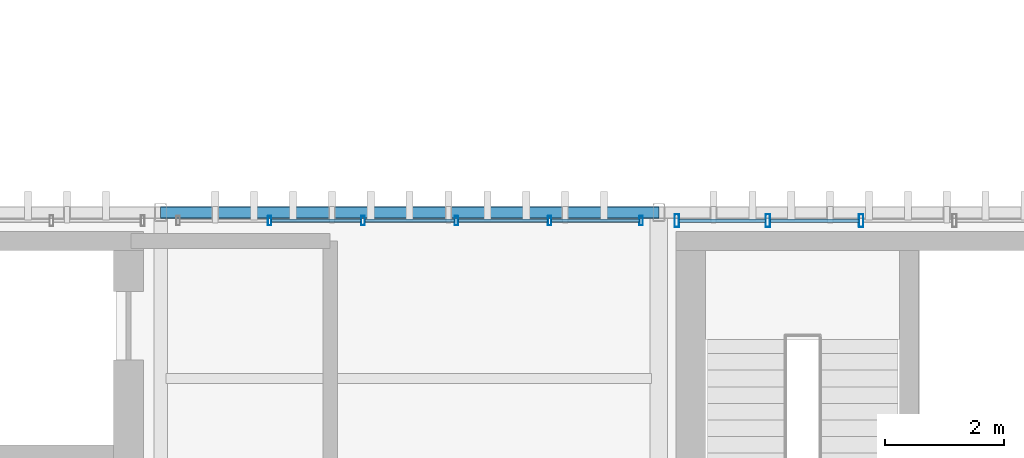
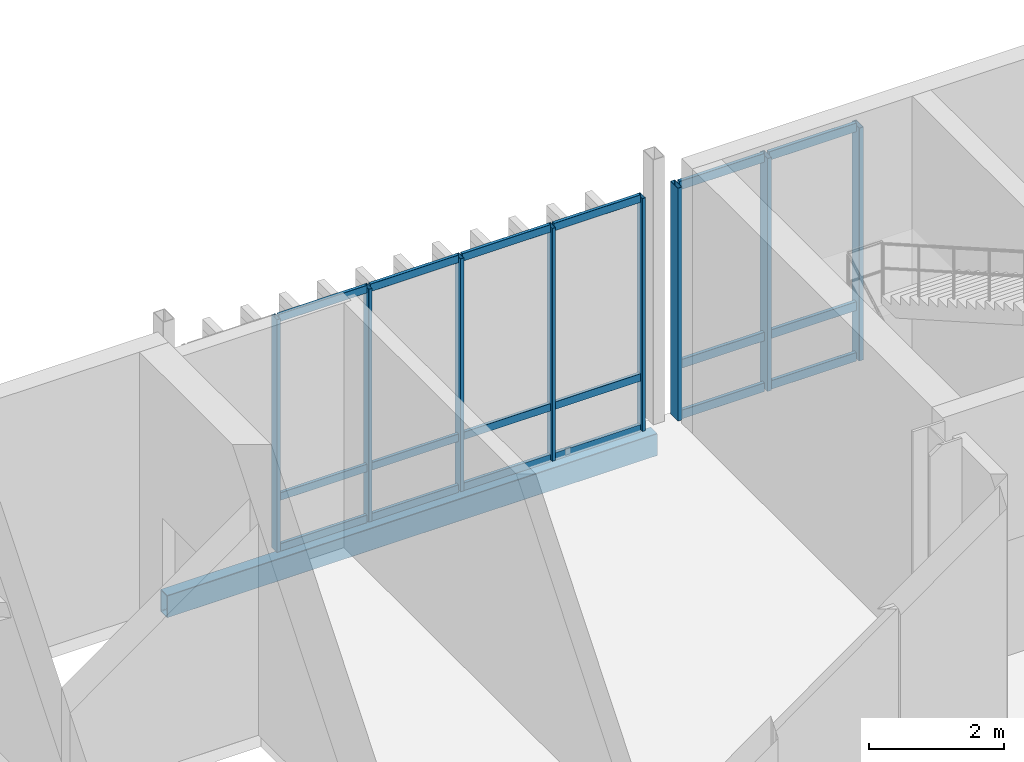
# One storey, part 32 of 109: 26 members, 1 beam, 2 elements without a shape of their own.
"""IFC4 building model written with IfcOpenShell, lengths in metres."""

from ifc_helpers import new_model, si_unit, direction, frame, origin_with_axes, origin_2d_with_axis, place, context, subcontext, project, spatial, hollow_rectangle, extrude, material, material_profile, profile_set, type_object, element, aggregate, save


model = new_model("IFC4")

# Units and contexts
model_context = context("Model", 3, precision=1e-05, world=origin_with_axes(), true_north=direction((0.0, 1.0)))
body_context = subcontext(model_context, "Body", "Model", "MODEL_VIEW")
ifc_project = project(units=[si_unit("LENGTHUNIT", "METRE"), si_unit("AREAUNIT", "SQUARE_METRE"), si_unit("VOLUMEUNIT", "CUBIC_METRE"), si_unit("PLANEANGLEUNIT", "RADIAN"), si_unit("MASSUNIT", "GRAM", prefix="KILO"), si_unit("THERMODYNAMICTEMPERATUREUNIT", "KELVIN")], contexts=[model_context])

# Site, building, storey
site_placement = place(None, origin_with_axes())
site = spatial("IfcSite", under=ifc_project, at=site_placement, CompositionType="ELEMENT")
building_placement = place(site_placement, origin_with_axes())
building = spatial("IfcBuilding", under=site, at=building_placement, Name="Montbau Bow Law Courts", CompositionType="ELEMENT")
storey_placement = place(building_placement, frame((0.0, 0.0, 10.8), z_axis=(0.0, 0.0, 1.0), x_axis=(1.0, 0.0, 0.0)))
storey = spatial("IfcBuildingStorey", under=building, at=storey_placement, Name="L02", CompositionType="ELEMENT", Elevation=10.8)

# Beam
ifc_material_1 = material(Name="Steel CSA G40.21 Grade 350WT (350 MPa)", Category="steel")
ifc_material_profile_1 = material_profile(ifc_material_1, hollow_rectangle(XDim=0.203, YDim=0.406, WallThickness=0.0127, InnerFilletRadius=0.0254, OuterFilletRadius=0.0127, at=origin_2d_with_axis()), Name="HSS406X203X13", Category="Main", Priority=0)
ifc_profile_set_1 = profile_set([ifc_material_profile_1], Name="Steel CSA G40.21 Grade 350WT (350 MPa)")
beam_type = type_object("IfcBeamType", Name="B-SPN-01", PredefinedType="SPANDREL", material=ifc_profile_set_1)
beam_placement = place(None, frame((22.2, 54.6, 10.377), z_axis=(1.0, 0.0, 0.0), x_axis=(0.0, 1.0, 0.0)))
element("IfcBeam", 1, at=beam_placement, inside=storey, type_object=beam_type, Name="SPN-L02-S0563:bm2_0566", PredefinedType="SPANDREL", context=body_context, shape_type="SweptSolid", body=[
    extrude(hollow_rectangle(XDim=0.203, YDim=0.406, WallThickness=0.0127, InnerFilletRadius=0.0254, OuterFilletRadius=0.0127, at=origin_2d_with_axis()), origin_with_axes(), (0.0, 0.0, 1.0), 8.4),
])

# Curtain wall, members
ifc_material_2 = material(Name="Thermally Broken Extruded Aluminium AA 6063-T6", Category="aluminium")
curtain_wall_type = type_object("IfcCurtainWallType", Name="CW-TRC-01", PredefinedType="NOTDEFINED", material=ifc_material_2)
curtain_wall_1_placement = place(None, frame((30.867, 54.46, 10.8), z_axis=(0.0, 0.0, 1.0), x_axis=(1.0, 0.0, 0.0)))
curtain_wall_1 = element("IfcCurtainWall", 2, at=curtain_wall_1_placement, inside=storey, type_object=curtain_wall_type, Name="CW-L02-042:cw_0042", PredefinedType="NOTDEFINED")
ifc_material_profile_2 = material_profile(ifc_material_2, hollow_rectangle(XDim=0.075, YDim=0.22, WallThickness=0.005, InnerFilletRadius=0.01, OuterFilletRadius=0.005, at=origin_2d_with_axis()), Name="CWM-220X75", Category="Main", Priority=0)
ifc_profile_set_2 = profile_set([ifc_material_profile_2], Name="Thermally Broken Extruded Aluminium AA 6063-T6")
member_type_1 = type_object("IfcMemberType", Name="M-MUL-01", PredefinedType="MULLION", material=ifc_profile_set_2)
member_1_placement = place(None, frame((30.904, 54.46, 10.8), z_axis=(0.0, 0.0, 1.0), x_axis=(1.0, 0.0, 0.0)))
member_1 = element("IfcMember", 3, at=member_1_placement, type_object=member_type_1, Name="CW-L02-042-M01:cw_0042_M01", PredefinedType="MULLION", context=body_context, shape_type="SweptSolid", body=[
    extrude(hollow_rectangle(XDim=0.075, YDim=0.22, WallThickness=0.005, InnerFilletRadius=0.01, OuterFilletRadius=0.005, at=origin_2d_with_axis()), origin_with_axes(), (0.0, 0.0, 1.0), 4.22),
])
member_2_placement = place(None, frame((32.44, 54.46, 10.8), z_axis=(0.0, 0.0, 1.0), x_axis=(1.0, 0.0, 0.0)))
member_2 = element("IfcMember", 4, at=member_2_placement, type_object=member_type_1, Name="CW-L02-042-M02:cw_0042_M02", PredefinedType="MULLION", context=body_context, shape_type="SweptSolid", body=[
    extrude(hollow_rectangle(XDim=0.075, YDim=0.22, WallThickness=0.005, InnerFilletRadius=0.01, OuterFilletRadius=0.005, at=origin_2d_with_axis()), origin_with_axes(), (0.0, 0.0, 1.0), 4.22),
])
member_3_placement = place(None, frame((34.013, 54.46, 10.8), z_axis=(0.0, 0.0, 1.0), x_axis=(1.0, 0.0, 0.0)))
member_3 = element("IfcMember", 5, at=member_3_placement, type_object=member_type_1, Name="CW-L02-042-M03:cw_0042_M03", PredefinedType="MULLION", context=body_context, shape_type="SweptSolid", body=[
    extrude(hollow_rectangle(XDim=0.075, YDim=0.22, WallThickness=0.005, InnerFilletRadius=0.01, OuterFilletRadius=0.005, at=origin_2d_with_axis()), origin_with_axes(), (0.0, 0.0, 1.0), 4.22),
])

curtain_wall_2_placement = place(None, frame((22.467, 54.46, 10.8), z_axis=(0.0, 0.0, 1.0), x_axis=(1.0, 0.0, 0.0)))
curtain_wall_2 = element("IfcCurtainWall", 6, at=curtain_wall_2_placement, inside=storey, type_object=curtain_wall_type, Name="CW-L02-041:cw_0041", PredefinedType="NOTDEFINED")
ifc_material_profile_3 = material_profile(ifc_material_2, hollow_rectangle(XDim=0.06, YDim=0.16, WallThickness=0.004, InnerFilletRadius=0.008, OuterFilletRadius=0.004, at=origin_2d_with_axis()), Name="CWM-160X60", Category="Main", Priority=0)
ifc_profile_set_3 = profile_set([ifc_material_profile_3], Name="Thermally Broken Extruded Aluminium AA 6063-T6")
member_type_2 = type_object("IfcMemberType", Name="M-MUL-03", PredefinedType="MULLION", material=ifc_profile_set_3)
member_4_placement = place(None, frame((24.04, 54.46, 10.8), z_axis=(0.0, 0.0, 1.0), x_axis=(1.0, 0.0, 0.0)))
member_4 = element("IfcMember", 7, at=member_4_placement, type_object=member_type_2, Name="CW-L02-041-M02:cw_0041_M02", PredefinedType="MULLION", context=body_context, shape_type="SweptSolid", body=[
    extrude(hollow_rectangle(XDim=0.06, YDim=0.16, WallThickness=0.004, InnerFilletRadius=0.008, OuterFilletRadius=0.004, at=origin_2d_with_axis()), origin_with_axes(), (0.0, 0.0, 1.0), 4.22),
])
member_5_placement = place(None, frame((25.613, 54.46, 10.8), z_axis=(0.0, 0.0, 1.0), x_axis=(1.0, 0.0, 0.0)))
member_5 = element("IfcMember", 8, at=member_5_placement, type_object=member_type_2, Name="CW-L02-041-M03:cw_0041_M03", PredefinedType="MULLION", context=body_context, shape_type="SweptSolid", body=[
    extrude(hollow_rectangle(XDim=0.06, YDim=0.16, WallThickness=0.004, InnerFilletRadius=0.008, OuterFilletRadius=0.004, at=origin_2d_with_axis()), origin_with_axes(), (0.0, 0.0, 1.0), 4.22),
])
member_6_placement = place(None, frame((27.187, 54.46, 10.8), z_axis=(0.0, 0.0, 1.0), x_axis=(1.0, 0.0, 0.0)))
member_6 = element("IfcMember", 9, at=member_6_placement, type_object=member_type_2, Name="CW-L02-041-M04:cw_0041_M04", PredefinedType="MULLION", context=body_context, shape_type="SweptSolid", body=[
    extrude(hollow_rectangle(XDim=0.06, YDim=0.16, WallThickness=0.004, InnerFilletRadius=0.008, OuterFilletRadius=0.004, at=origin_2d_with_axis()), origin_with_axes(), (0.0, 0.0, 1.0), 4.22),
])
member_7_placement = place(None, frame((28.76, 54.46, 10.8), z_axis=(0.0, 0.0, 1.0), x_axis=(1.0, 0.0, 0.0)))
member_7 = element("IfcMember", 10, at=member_7_placement, type_object=member_type_2, Name="CW-L02-041-M05:cw_0041_M05", PredefinedType="MULLION", context=body_context, shape_type="SweptSolid", body=[
    extrude(hollow_rectangle(XDim=0.06, YDim=0.16, WallThickness=0.004, InnerFilletRadius=0.008, OuterFilletRadius=0.004, at=origin_2d_with_axis()), origin_with_axes(), (0.0, 0.0, 1.0), 4.22),
])
member_8_placement = place(None, frame((30.303, 54.46, 10.8), z_axis=(0.0, 0.0, 1.0), x_axis=(1.0, 0.0, 0.0)))
member_8 = element("IfcMember", 11, at=member_8_placement, type_object=member_type_2, Name="CW-L02-041-M06:cw_0041_M06", PredefinedType="MULLION", context=body_context, shape_type="SweptSolid", body=[
    extrude(hollow_rectangle(XDim=0.06, YDim=0.16, WallThickness=0.004, InnerFilletRadius=0.008, OuterFilletRadius=0.004, at=origin_2d_with_axis()), origin_with_axes(), (0.0, 0.0, 1.0), 4.22),
])

# Member
ifc_material_profile_4 = material_profile(ifc_material_2, hollow_rectangle(XDim=0.06, YDim=0.16, WallThickness=0.004, InnerFilletRadius=0.008, OuterFilletRadius=0.004, at=origin_2d_with_axis()), Name="CWT-160X60", Category="Main", Priority=0)
ifc_profile_set_4 = profile_set([ifc_material_profile_4], Name="Thermally Broken Extruded Aluminium AA 6063-T6")
member_type_3 = type_object("IfcMemberType", Name="M-TRN-01", PredefinedType="USERDEFINED", material=ifc_profile_set_4)
member_9_placement = place(None, frame((30.943, 54.46, 10.83), z_axis=(1.0, 0.0, 0.0), x_axis=(0.0, 1.0, 0.0)))
member_9 = element("IfcMember", 12, at=member_9_placement, type_object=member_type_3, Name="CW-L02-042-T01-1:cw_0042_T01_1", ObjectType="TRANSOM", PredefinedType="USERDEFINED", context=body_context, shape_type="SweptSolid", body=[
    extrude(hollow_rectangle(XDim=0.06, YDim=0.16, WallThickness=0.004, InnerFilletRadius=0.008, OuterFilletRadius=0.004, at=origin_2d_with_axis()), origin_with_axes(), (0.0, 0.0, 1.0), 1.457),
])

member_10_placement = place(None, frame((30.943, 54.46, 11.75), z_axis=(1.0, 0.0, 0.0), x_axis=(0.0, 1.0, 0.0)))
member_10 = element("IfcMember", 13, at=member_10_placement, type_object=member_type_3, Name="CW-L02-042-T01-2:cw_0042_T01_2", ObjectType="TRANSOM", PredefinedType="USERDEFINED", context=body_context, shape_type="SweptSolid", body=[
    extrude(hollow_rectangle(XDim=0.06, YDim=0.16, WallThickness=0.004, InnerFilletRadius=0.008, OuterFilletRadius=0.004, at=origin_2d_with_axis()), origin_with_axes(), (0.0, 0.0, 1.0), 1.457),
])

member_11_placement = place(None, frame((30.943, 54.46, 14.99), z_axis=(1.0, 0.0, 0.0), x_axis=(0.0, 1.0, 0.0)))
member_11 = element("IfcMember", 14, at=member_11_placement, type_object=member_type_3, Name="CW-L02-042-T01-3:cw_0042_T01_3", ObjectType="TRANSOM", PredefinedType="USERDEFINED", context=body_context, shape_type="SweptSolid", body=[
    extrude(hollow_rectangle(XDim=0.06, YDim=0.16, WallThickness=0.004, InnerFilletRadius=0.008, OuterFilletRadius=0.004, at=origin_2d_with_axis()), origin_with_axes(), (0.0, 0.0, 1.0), 1.457),
])

member_12_placement = place(None, frame((32.48, 54.46, 10.83), z_axis=(1.0, 0.0, 0.0), x_axis=(0.0, 1.0, 0.0)))
member_12 = element("IfcMember", 15, at=member_12_placement, type_object=member_type_3, Name="CW-L02-042-T02-1:cw_0042_T02_1", ObjectType="TRANSOM", PredefinedType="USERDEFINED", context=body_context, shape_type="SweptSolid", body=[
    extrude(hollow_rectangle(XDim=0.06, YDim=0.16, WallThickness=0.004, InnerFilletRadius=0.008, OuterFilletRadius=0.004, at=origin_2d_with_axis()), origin_with_axes(), (0.0, 0.0, 1.0), 1.494),
])

member_13_placement = place(None, frame((32.48, 54.46, 11.75), z_axis=(1.0, 0.0, 0.0), x_axis=(0.0, 1.0, 0.0)))
member_13 = element("IfcMember", 16, at=member_13_placement, type_object=member_type_3, Name="CW-L02-042-T02-2:cw_0042_T02_2", ObjectType="TRANSOM", PredefinedType="USERDEFINED", context=body_context, shape_type="SweptSolid", body=[
    extrude(hollow_rectangle(XDim=0.06, YDim=0.16, WallThickness=0.004, InnerFilletRadius=0.008, OuterFilletRadius=0.004, at=origin_2d_with_axis()), origin_with_axes(), (0.0, 0.0, 1.0), 1.494),
])

member_14_placement = place(None, frame((32.48, 54.46, 14.99), z_axis=(1.0, 0.0, 0.0), x_axis=(0.0, 1.0, 0.0)))
member_14 = element("IfcMember", 17, at=member_14_placement, type_object=member_type_3, Name="CW-L02-042-T02-3:cw_0042_T02_3", ObjectType="TRANSOM", PredefinedType="USERDEFINED", context=body_context, shape_type="SweptSolid", body=[
    extrude(hollow_rectangle(XDim=0.06, YDim=0.16, WallThickness=0.004, InnerFilletRadius=0.008, OuterFilletRadius=0.004, at=origin_2d_with_axis()), origin_with_axes(), (0.0, 0.0, 1.0), 1.494),
])

aggregate(curtain_wall_1, [member_1, member_2, member_3, member_9, member_10, member_11, member_12, member_13, member_14])

ifc_material_profile_5 = material_profile(ifc_material_2, hollow_rectangle(XDim=0.055, YDim=0.14, WallThickness=0.004, InnerFilletRadius=0.008, OuterFilletRadius=0.004, at=origin_2d_with_axis()), Name="CWT-140X55", Category="Main", Priority=0)
ifc_profile_set_5 = profile_set([ifc_material_profile_5], Name="Thermally Broken Extruded Aluminium AA 6063-T6")
member_type_4 = type_object("IfcMemberType", Name="M-TRN-02", PredefinedType="USERDEFINED", material=ifc_profile_set_5)
member_15_placement = place(None, frame((24.072, 54.46, 10.828), z_axis=(1.0, 0.0, 0.0), x_axis=(0.0, 1.0, 0.0)))
member_15 = element("IfcMember", 18, at=member_15_placement, type_object=member_type_4, Name="CW-L02-041-T02-1:cw_0041_T02_1", ObjectType="TRANSOM", PredefinedType="USERDEFINED", context=body_context, shape_type="SweptSolid", body=[
    extrude(hollow_rectangle(XDim=0.055, YDim=0.14, WallThickness=0.004, InnerFilletRadius=0.008, OuterFilletRadius=0.004, at=origin_2d_with_axis()), origin_with_axes(), (0.0, 0.0, 1.0), 1.509),
])

member_16_placement = place(None, frame((24.072, 54.46, 11.75), z_axis=(1.0, 0.0, 0.0), x_axis=(0.0, 1.0, 0.0)))
member_16 = element("IfcMember", 19, at=member_16_placement, type_object=member_type_4, Name="CW-L02-041-T02-2:cw_0041_T02_2", ObjectType="TRANSOM", PredefinedType="USERDEFINED", context=body_context, shape_type="SweptSolid", body=[
    extrude(hollow_rectangle(XDim=0.055, YDim=0.14, WallThickness=0.004, InnerFilletRadius=0.008, OuterFilletRadius=0.004, at=origin_2d_with_axis()), origin_with_axes(), (0.0, 0.0, 1.0), 1.509),
])

member_17_placement = place(None, frame((24.072, 54.46, 14.992), z_axis=(1.0, 0.0, 0.0), x_axis=(0.0, 1.0, 0.0)))
member_17 = element("IfcMember", 20, at=member_17_placement, type_object=member_type_4, Name="CW-L02-041-T02-3:cw_0041_T02_3", ObjectType="TRANSOM", PredefinedType="USERDEFINED", context=body_context, shape_type="SweptSolid", body=[
    extrude(hollow_rectangle(XDim=0.055, YDim=0.14, WallThickness=0.004, InnerFilletRadius=0.008, OuterFilletRadius=0.004, at=origin_2d_with_axis()), origin_with_axes(), (0.0, 0.0, 1.0), 1.509),
])

member_18_placement = place(None, frame((25.645, 54.46, 10.828), z_axis=(1.0, 0.0, 0.0), x_axis=(0.0, 1.0, 0.0)))
member_18 = element("IfcMember", 21, at=member_18_placement, type_object=member_type_4, Name="CW-L02-041-T03-1:cw_0041_T03_1", ObjectType="TRANSOM", PredefinedType="USERDEFINED", context=body_context, shape_type="SweptSolid", body=[
    extrude(hollow_rectangle(XDim=0.055, YDim=0.14, WallThickness=0.004, InnerFilletRadius=0.008, OuterFilletRadius=0.004, at=origin_2d_with_axis()), origin_with_axes(), (0.0, 0.0, 1.0), 1.51),
])

member_19_placement = place(None, frame((25.645, 54.46, 11.75), z_axis=(1.0, 0.0, 0.0), x_axis=(0.0, 1.0, 0.0)))
member_19 = element("IfcMember", 22, at=member_19_placement, type_object=member_type_4, Name="CW-L02-041-T03-2:cw_0041_T03_2", ObjectType="TRANSOM", PredefinedType="USERDEFINED", context=body_context, shape_type="SweptSolid", body=[
    extrude(hollow_rectangle(XDim=0.055, YDim=0.14, WallThickness=0.004, InnerFilletRadius=0.008, OuterFilletRadius=0.004, at=origin_2d_with_axis()), origin_with_axes(), (0.0, 0.0, 1.0), 1.51),
])

member_20_placement = place(None, frame((25.645, 54.46, 14.992), z_axis=(1.0, 0.0, 0.0), x_axis=(0.0, 1.0, 0.0)))
member_20 = element("IfcMember", 23, at=member_20_placement, type_object=member_type_4, Name="CW-L02-041-T03-3:cw_0041_T03_3", ObjectType="TRANSOM", PredefinedType="USERDEFINED", context=body_context, shape_type="SweptSolid", body=[
    extrude(hollow_rectangle(XDim=0.055, YDim=0.14, WallThickness=0.004, InnerFilletRadius=0.008, OuterFilletRadius=0.004, at=origin_2d_with_axis()), origin_with_axes(), (0.0, 0.0, 1.0), 1.51),
])

member_21_placement = place(None, frame((27.219, 54.46, 10.828), z_axis=(1.0, 0.0, 0.0), x_axis=(0.0, 1.0, 0.0)))
member_21 = element("IfcMember", 24, at=member_21_placement, type_object=member_type_4, Name="CW-L02-041-T04-1:cw_0041_T04_1", ObjectType="TRANSOM", PredefinedType="USERDEFINED", context=body_context, shape_type="SweptSolid", body=[
    extrude(hollow_rectangle(XDim=0.055, YDim=0.14, WallThickness=0.004, InnerFilletRadius=0.008, OuterFilletRadius=0.004, at=origin_2d_with_axis()), origin_with_axes(), (0.0, 0.0, 1.0), 1.509),
])

member_22_placement = place(None, frame((27.219, 54.46, 11.75), z_axis=(1.0, 0.0, 0.0), x_axis=(0.0, 1.0, 0.0)))
member_22 = element("IfcMember", 25, at=member_22_placement, type_object=member_type_4, Name="CW-L02-041-T04-2:cw_0041_T04_2", ObjectType="TRANSOM", PredefinedType="USERDEFINED", context=body_context, shape_type="SweptSolid", body=[
    extrude(hollow_rectangle(XDim=0.055, YDim=0.14, WallThickness=0.004, InnerFilletRadius=0.008, OuterFilletRadius=0.004, at=origin_2d_with_axis()), origin_with_axes(), (0.0, 0.0, 1.0), 1.509),
])

member_23_placement = place(None, frame((27.219, 54.46, 14.992), z_axis=(1.0, 0.0, 0.0), x_axis=(0.0, 1.0, 0.0)))
member_23 = element("IfcMember", 26, at=member_23_placement, type_object=member_type_4, Name="CW-L02-041-T04-3:cw_0041_T04_3", ObjectType="TRANSOM", PredefinedType="USERDEFINED", context=body_context, shape_type="SweptSolid", body=[
    extrude(hollow_rectangle(XDim=0.055, YDim=0.14, WallThickness=0.004, InnerFilletRadius=0.008, OuterFilletRadius=0.004, at=origin_2d_with_axis()), origin_with_axes(), (0.0, 0.0, 1.0), 1.509),
])

member_24_placement = place(None, frame((28.792, 54.46, 10.828), z_axis=(1.0, 0.0, 0.0), x_axis=(0.0, 1.0, 0.0)))
member_24 = element("IfcMember", 27, at=member_24_placement, type_object=member_type_4, Name="CW-L02-041-T05-1:cw_0041_T05_1", ObjectType="TRANSOM", PredefinedType="USERDEFINED", context=body_context, shape_type="SweptSolid", body=[
    extrude(hollow_rectangle(XDim=0.055, YDim=0.14, WallThickness=0.004, InnerFilletRadius=0.008, OuterFilletRadius=0.004, at=origin_2d_with_axis()), origin_with_axes(), (0.0, 0.0, 1.0), 1.479),
])

member_25_placement = place(None, frame((28.792, 54.46, 11.75), z_axis=(1.0, 0.0, 0.0), x_axis=(0.0, 1.0, 0.0)))
member_25 = element("IfcMember", 28, at=member_25_placement, type_object=member_type_4, Name="CW-L02-041-T05-2:cw_0041_T05_2", ObjectType="TRANSOM", PredefinedType="USERDEFINED", context=body_context, shape_type="SweptSolid", body=[
    extrude(hollow_rectangle(XDim=0.055, YDim=0.14, WallThickness=0.004, InnerFilletRadius=0.008, OuterFilletRadius=0.004, at=origin_2d_with_axis()), origin_with_axes(), (0.0, 0.0, 1.0), 1.479),
])

member_26_placement = place(None, frame((28.792, 54.46, 14.992), z_axis=(1.0, 0.0, 0.0), x_axis=(0.0, 1.0, 0.0)))
member_26 = element("IfcMember", 29, at=member_26_placement, type_object=member_type_4, Name="CW-L02-041-T05-3:cw_0041_T05_3", ObjectType="TRANSOM", PredefinedType="USERDEFINED", context=body_context, shape_type="SweptSolid", body=[
    extrude(hollow_rectangle(XDim=0.055, YDim=0.14, WallThickness=0.004, InnerFilletRadius=0.008, OuterFilletRadius=0.004, at=origin_2d_with_axis()), origin_with_axes(), (0.0, 0.0, 1.0), 1.479),
])

aggregate(curtain_wall_2, [member_4, member_5, member_6, member_7, member_8, member_15, member_16, member_17, member_18, member_19, member_20, member_21, member_22, member_23, member_24, member_25, member_26])

save(model, "model.ifc")
